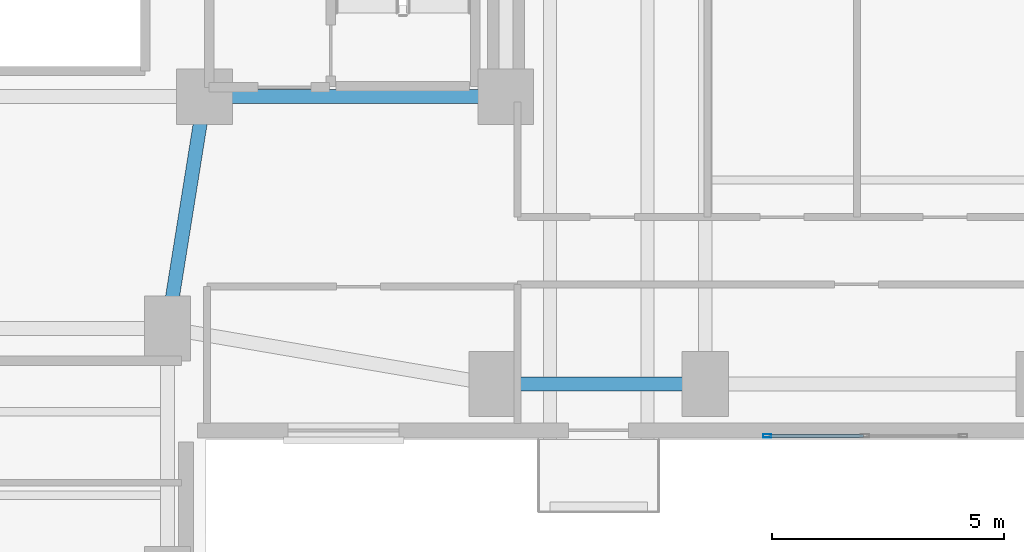
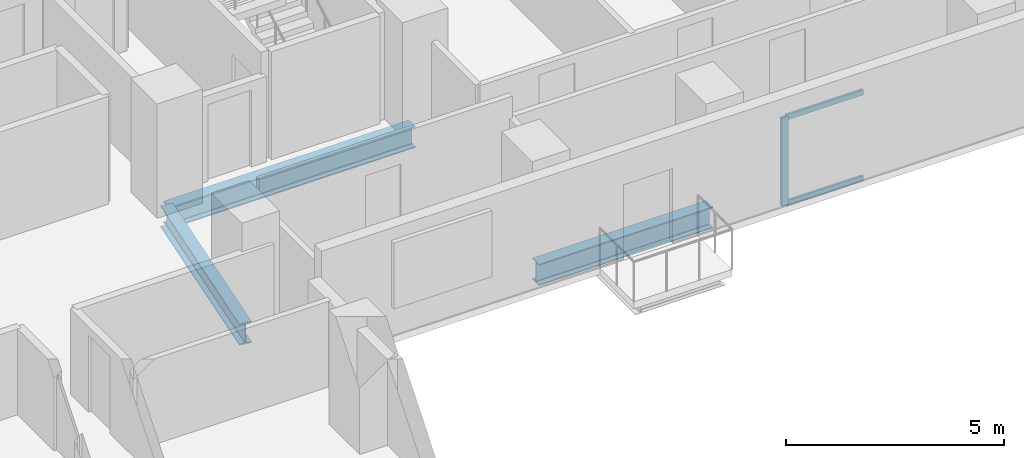
# One storey, part 4 of 17: 3 beams, 3 members, 1 element without a shape of its own.
"""IFC4 building model written with IfcOpenShell, lengths in metres."""

import ifcopenshell
import ifcopenshell.guid

model = None  # the IFC model being written
_history = None  # IfcOwnerHistory: only IFC2X3 demands one
_inside = {}  # id of a spatial element -> (the spatial element, [elements in it])
_under = {}  # id of a project, library or spatial element -> (it, [spatial elements below it])
_declared = {}  # id of a project -> (the project, [libraries it declares])
_typed = {}  # id of a type object -> (the type object, [elements of that type])
_made_of = {}  # id of a material, layer set ... -> (it, [elements and type objects made of it])


def new_model(schema):
    """Start an empty IFC model of exactly this schema.

    Asked for "IFC4X3", IfcOpenShell would pick the latest addendum, in which some entities
    have other attributes; the version numbers below select the first issue.
    IFC2X3 requires an IfcOwnerHistory on every rooted entity: one is made here for all.
    """
    global model, _history
    if schema == "IFC4X3":
        model = ifcopenshell.file(schema_version=(4, 3, 0, 0))
    else:
        model = ifcopenshell.file(schema=schema)
    _inside.clear()
    _under.clear()
    _declared.clear()
    _typed.clear()
    _made_of.clear()
    _history = None
    if model.schema == "IFC2X3":
        org = make("IfcOrganization", Name="unknown")
        user = make(
            "IfcPersonAndOrganization",
            ThePerson=make("IfcPerson", FamilyName="unknown"),
            TheOrganization=org,
        )
        app = make(
            "IfcApplication",
            ApplicationDeveloper=org,
            Version="unknown",
            ApplicationFullName="unknown",
            ApplicationIdentifier="unknown",
        )
        _history = make(
            "IfcOwnerHistory",
            OwningUser=user,
            OwningApplication=app,
            ChangeAction="ADDED",
            CreationDate=0,
        )
    return model


def make(cls, **values):
    """One entity of the class cls with the attributes given. An attribute that is None is left unset."""
    return model.create_entity(
        cls, **{name: value for name, value in values.items() if value is not None}
    )


def rooted(cls, **values):
    """An entity with a GlobalId (a new one), such as an element, a storey or a relation."""
    return make(cls, GlobalId=ifcopenshell.guid.new(), OwnerHistory=_history, **values)


def si_unit(unit_type, name, prefix=None):
    """IfcSIUnit, for example si_unit("LENGTHUNIT", "METRE", prefix="MILLI")."""
    return make("IfcSIUnit", UnitType=unit_type, Prefix=prefix, Name=name)


def assignment(units):
    """IfcUnitAssignment: the units of a project."""
    return None if units is None else make("IfcUnitAssignment", Units=units)


def point(xyz):
    """IfcCartesianPoint."""
    return None if xyz is None else make("IfcCartesianPoint", Coordinates=xyz)


def direction(xyz):
    """IfcDirection."""
    return None if xyz is None else make("IfcDirection", DirectionRatios=xyz)


def frame(location, z_axis=None, x_axis=None):
    """IfcAxis2Placement3D, a coordinate frame: its origin and axes. An axis left out is left unset."""
    return make(
        "IfcAxis2Placement3D",
        Location=point(location),
        Axis=direction(z_axis),
        RefDirection=direction(x_axis),
    )


def frame_2d(location, x_axis=None):
    """IfcAxis2Placement2D, a coordinate frame in the plane: its origin and x axis."""
    return make(
        "IfcAxis2Placement2D", Location=point(location), RefDirection=direction(x_axis)
    )


def origin():
    """The frame at (0, 0, 0) with its axes left unset."""
    return frame((0.0, 0.0, 0.0))


def origin_2d():
    """The frame at (0, 0) in the plane with its x axis left unset."""
    return frame_2d((0.0, 0.0))


def place(relative_to, where):
    """IfcLocalPlacement: puts the frame where relative to a parent placement (None: the world)."""
    return make(
        "IfcLocalPlacement", PlacementRelTo=relative_to, RelativePlacement=where
    )


def context(
    kind, dimensions, precision=None, world=None, true_north=None, identifier=None
):
    """IfcGeometricRepresentationContext, for example the 3D "Model" context."""
    return make(
        "IfcGeometricRepresentationContext",
        ContextIdentifier=identifier,
        ContextType=kind,
        CoordinateSpaceDimension=dimensions,
        Precision=precision,
        WorldCoordinateSystem=world,
        TrueNorth=true_north,
    )


def subcontext(parent, identifier, kind, view, scale=None):
    """IfcGeometricRepresentationSubContext, for example "Body" below "Model"."""
    return make(
        "IfcGeometricRepresentationSubContext",
        ContextIdentifier=identifier,
        ContextType=kind,
        ParentContext=parent,
        TargetScale=scale,
        TargetView=view,
    )


def project(units=None, contexts=None):
    """IfcProject with its units and contexts."""
    return rooted(
        "IfcProject",
        Name="project",
        RepresentationContexts=contexts,
        UnitsInContext=assignment(units),
    )


def spatial(cls, under=None, at=None, **own):
    """A site, building, storey or space (cls), placed at a placement, below another one or the project."""
    s = rooted(cls, ObjectPlacement=at, **own)
    if under is not None:
        _under.setdefault(under.id(), (under, []))[1].append(s)
    return s


def profile(cls, at=None, kind="AREA", **sizes):
    """A parametric profile (cls). Its sizes go by their IFC names, for example OverallWidth=200.0."""
    return make(cls, ProfileType=kind, Position=at, **sizes)


def hollow_rectangle(**sizes):
    """IfcRectangleHollowProfileDef."""
    return profile("IfcRectangleHollowProfileDef", **sizes)


def i_section(**sizes):
    """IfcIShapeProfileDef."""
    return profile("IfcIShapeProfileDef", **sizes)


def extrude(swept, where, along, depth):
    """IfcExtrudedAreaSolid: the profile swept, set in the frame where, extruded along a direction by depth."""
    return make(
        "IfcExtrudedAreaSolid",
        SweptArea=swept,
        Position=where,
        ExtrudedDirection=direction(along),
        Depth=depth,
    )


def shape(context_of_items, identifier, shape_type, items):
    """IfcShapeRepresentation: the items that make up one representation, for example the "Body"."""
    return make(
        "IfcShapeRepresentation",
        ContextOfItems=context_of_items,
        RepresentationIdentifier=identifier,
        RepresentationType=shape_type,
        Items=items,
    )


def material(Name=None, Category=None):
    """IfcMaterial."""
    return make("IfcMaterial", Name=Name, Category=Category)


def material_profile(
    of_material, cross_section, Name=None, Category=None, Priority=None
):
    """IfcMaterialProfile: a cross section and its material."""
    return make(
        "IfcMaterialProfile",
        Name=Name,
        Material=of_material,
        Profile=cross_section,
        Priority=Priority,
        Category=Category,
    )


def profile_set(profiles, Name=None, composite=None):
    """IfcMaterialProfileSet."""
    return make(
        "IfcMaterialProfileSet",
        Name=Name,
        MaterialProfiles=profiles,
        CompositeProfile=composite,
    )


def made_of(thing, what):
    """Note that an element or type object is made of a material, layer set ...; save() writes the relation."""
    if what is not None:
        _made_of.setdefault(what.id(), (what, []))[1].append(thing)
    return thing


def type_object(cls, material=None, **own):
    """A type object (cls), such as IfcWallType, which elements share."""
    return made_of(rooted(cls, **own), material)


def element(
    cls,
    number,
    at=None,
    inside=None,
    cuts=None,
    type_object=None,
    material=None,
    context=None,
    identifier="Body",
    shape_type=None,
    held_by="IfcProductDefinitionShape",
    body=None,
    shapes=None,
    **own,
):
    """One element of the class cls, such as IfcWall. Its Tag is "e" and its number.

    at: its placement. inside: the storey or other place that contains it. cuts: it is an
    opening in that element (IfcRelVoidsElement). A single representation is given by context,
    identifier, shape_type and body (its items); several are given by shapes. held_by: the class
    of the entity that holds the representations. save() writes the other relations.
    """
    e = rooted(cls, Tag="e%d" % number, ObjectPlacement=at, **own)
    if body is not None:
        shapes = [shape(context, identifier, shape_type, body)]
    if shapes is not None:
        e.Representation = make(held_by, Representations=shapes)
    if inside is not None:
        _inside.setdefault(inside.id(), (inside, []))[1].append(e)
    if cuts is not None:
        rooted(
            "IfcRelVoidsElement", RelatingBuildingElement=cuts, RelatedOpeningElement=e
        )
    if type_object is not None:
        _typed.setdefault(type_object.id(), (type_object, []))[1].append(e)
    return made_of(e, material)


def aggregate(whole, parts):
    """IfcRelAggregates: a whole, such as a stair, and the parts it consists of."""
    return rooted("IfcRelAggregates", RelatingObject=whole, RelatedObjects=parts)


def save(model, path):
    """Write the relations noted so far, then the file.

    IfcRelAggregates (storeys below a building ...), IfcRelContainedInSpatialStructure (elements
    in a storey), IfcRelDefinesByType, IfcRelAssociatesMaterial and IfcRelDeclares: one each for
    every whole, place, type object, material and project.
    """
    for whole, parts in _under.values():
        aggregate(whole, parts)
    for where, things in _inside.values():
        rooted(
            "IfcRelContainedInSpatialStructure",
            RelatedElements=things,
            RelatingStructure=where,
        )
    for kind, things in _typed.values():
        rooted("IfcRelDefinesByType", RelatedObjects=things, RelatingType=kind)
    for what, things in _made_of.values():
        rooted("IfcRelAssociatesMaterial", RelatedObjects=things, RelatingMaterial=what)
    for by, libraries in _declared.values():
        rooted("IfcRelDeclares", RelatingContext=by, RelatedDefinitions=libraries)
    model.write(path)


model = new_model("IFC4")

# Units and contexts
model_context = context("Model", 3, precision=1e-05, world=origin(), true_north=direction((0.0, 1.0)))
body_context = subcontext(model_context, "Body", "Model", "MODEL_VIEW")
ifc_project = project(units=[si_unit("LENGTHUNIT", "METRE"), si_unit("AREAUNIT", "SQUARE_METRE"), si_unit("VOLUMEUNIT", "CUBIC_METRE"), si_unit("PLANEANGLEUNIT", "RADIAN"), si_unit("MASSUNIT", "GRAM", prefix="KILO")], contexts=[model_context])

# Site, building, storey
site_placement = place(None, origin())
site = spatial("IfcSite", under=ifc_project, at=site_placement, CompositionType="ELEMENT")
building_placement = place(site_placement, origin())
building = spatial("IfcBuilding", under=site, at=building_placement, Name="Kuzgunbayir Cultural Tower", CompositionType="ELEMENT")
storey_placement = place(building_placement, frame((0.0, 0.0, 56.39990234375)))
storey = spatial("IfcBuildingStorey", under=building, at=storey_placement, Name="L15", CompositionType="ELEMENT", Elevation=56.39990234375)

# Beams
ifc_material_1 = material(Name="Steel S355J2", Category="steel")
ifc_material_profile_1 = material_profile(ifc_material_1, i_section(OverallWidth=0.300048828125, OverallDepth=0.60009765625, WebThickness=0.015380859375, FlangeThickness=0.030029296875, FilletRadius=0.027099609375, at=origin_2d()), Name="HEB 600")
ifc_profile_set_1 = profile_set([ifc_material_profile_1], Name="Steel S355J2")
beam_type_1 = type_object("IfcBeamType", Name="BM-EXT-HEB600", PredefinedType="BEAM", material=ifc_profile_set_1)
beam_1_placement = place(storey_placement, frame((26.60009765625, 27.60009765625, -0.47998046875), z_axis=(1.0, 0.0, 0.0), x_axis=(0.0, 1.0, 0.0)))
element("IfcBeam", 1, at=beam_1_placement, inside=storey, type_object=beam_type_1, Name="L15 Wing B South Girder 1", PredefinedType="BEAM", context=body_context, shape_type="SweptSolid", body=[
    extrude(i_section(OverallWidth=0.300048828125, OverallDepth=0.60009765625, WebThickness=0.015380859375, FlangeThickness=0.030029296875, FilletRadius=0.027099609375, at=origin_2d()), origin(), (0.0, 0.0, 1.0), 4.599853515625),
])
ifc_material_profile_2 = material_profile(ifc_material_1, i_section(OverallWidth=0.300048828125, OverallDepth=0.60009765625, WebThickness=0.015380859375, FlangeThickness=0.030029296875, FilletRadius=0.027099609375, at=origin_2d()), Name="HEB 600")
ifc_profile_set_2 = profile_set([ifc_material_profile_2], Name="Steel S355J2")
beam_type_2 = type_object("IfcBeamType", Name="BM-GIR-HEB600", PredefinedType="BEAM", material=ifc_profile_set_2)
beam_2_placement = place(storey_placement, frame((20.39990234375, 33.800048828125, -0.47998046875), z_axis=(1.0, 0.0, 0.0), x_axis=(0.0, 1.0, 0.0)))
element("IfcBeam", 2, at=beam_2_placement, inside=storey, type_object=beam_type_2, Name="L15 Core South Girder 3", PredefinedType="BEAM", context=body_context, shape_type="SweptSolid", body=[
    extrude(i_section(OverallWidth=0.300048828125, OverallDepth=0.60009765625, WebThickness=0.015380859375, FlangeThickness=0.030029296875, FilletRadius=0.027099609375, at=origin_2d()), origin(), (0.0, 0.0, 1.0), 6.5),
])
beam_3_placement = place(storey_placement, frame((19.60009765625, 28.800048828125, -0.47998046875), z_axis=(0.157952891656, 0.987446648694, 0.0), x_axis=(-0.987446648694, 0.157952891656, 0.0)))
element("IfcBeam", 3, at=beam_3_placement, inside=storey, type_object=beam_type_2, Name="L15 Wing A East Core Floor Girder", PredefinedType="BEAM", context=body_context, shape_type="SweptSolid", body=[
    extrude(i_section(OverallWidth=0.300048828125, OverallDepth=0.60009765625, WebThickness=0.015380859375, FlangeThickness=0.030029296875, FilletRadius=0.027099609375, at=origin_2d()), origin(), (0.0, 0.0, 1.0), 5.0634765625),
])

# Curtain wall, members
ifc_material_2 = material(Name="Anodised Aluminium Framing", Category="aluminium")
curtain_wall_type = type_object("IfcCurtainWallType", Name="CW03-T1-OFFICE", PredefinedType="NOTDEFINED", material=ifc_material_2)
curtain_wall_placement = place(storey_placement, origin())
curtain_wall = element("IfcCurtainWall", 4, at=curtain_wall_placement, inside=storey, type_object=curtain_wall_type, Name="L15 Wing B South Feature Curtain Wall", PredefinedType="NOTDEFINED")
ifc_material_profile_3 = material_profile(ifc_material_2, hollow_rectangle(XDim=0.074951171875, YDim=0.179931640625, WallThickness=0.0048828125, at=origin_2d()), Name="RHS 180x75x5")
ifc_profile_set_3 = profile_set([ifc_material_profile_3], Name="Anodised Aluminium Framing")
member_type_1 = type_object("IfcMemberType", Name="MEM-CW-MULLION-180", PredefinedType="MULLION", material=ifc_profile_set_3)
member_1_placement = place(storey_placement, frame((32.53759765625, 26.47998046875, 0.0), z_axis=(0.0, 0.0, 1.0), x_axis=(0.0, 1.0, 0.0)))
member_1 = element("IfcMember", 5, at=member_1_placement, type_object=member_type_1, Name="CW03 mullion 1", PredefinedType="MULLION", context=body_context, shape_type="SweptSolid", body=[
    extrude(hollow_rectangle(XDim=0.074951171875, YDim=0.179931640625, WallThickness=0.0048828125, at=origin_2d()), origin(), (0.0, 0.0, 1.0), 2.47021484375),
])
ifc_material_profile_4 = material_profile(ifc_material_2, hollow_rectangle(XDim=0.06005859375, YDim=0.14990234375, WallThickness=0.00390625, at=origin_2d()), Name="RHS 150x60x4")
ifc_profile_set_4 = profile_set([ifc_material_profile_4], Name="Anodised Aluminium Framing")
member_type_2 = type_object("IfcMemberType", Name="MEM-CW-TRANSOM-150", PredefinedType="USERDEFINED", material=ifc_profile_set_4)
member_2_placement = place(storey_placement, frame((32.574951171875, 26.47998046875, 0.030029296875), z_axis=(1.0, 0.0, 0.0), x_axis=(0.0, 1.0, 0.0)))
member_2 = element("IfcMember", 6, at=member_2_placement, type_object=member_type_2, Name="CW03 transom 1.1", ObjectType="TRANSOM", PredefinedType="USERDEFINED", context=body_context, shape_type="SweptSolid", body=[
    extrude(hollow_rectangle(XDim=0.06005859375, YDim=0.14990234375, WallThickness=0.00390625, at=origin_2d()), origin(), (0.0, 0.0, 1.0), 2.03759765625),
])
member_3_placement = place(storey_placement, frame((32.574951171875, 26.47998046875, 2.440185546875), z_axis=(1.0, 0.0, 0.0), x_axis=(0.0, 1.0, 0.0)))
member_3 = element("IfcMember", 7, at=member_3_placement, type_object=member_type_2, Name="CW03 transom 1.2", ObjectType="TRANSOM", PredefinedType="USERDEFINED", context=body_context, shape_type="SweptSolid", body=[
    extrude(hollow_rectangle(XDim=0.06005859375, YDim=0.14990234375, WallThickness=0.00390625, at=origin_2d()), origin(), (0.0, 0.0, 1.0), 2.03759765625),
])
aggregate(curtain_wall, [member_1, member_2, member_3])

save(model, "model.ifc")
